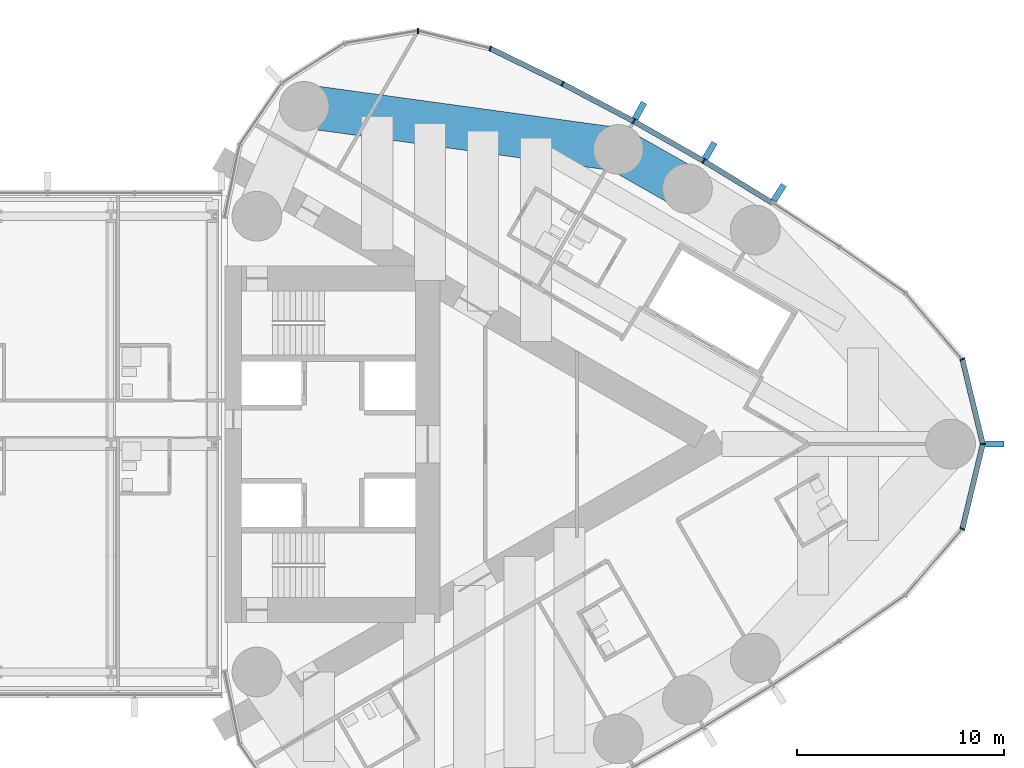
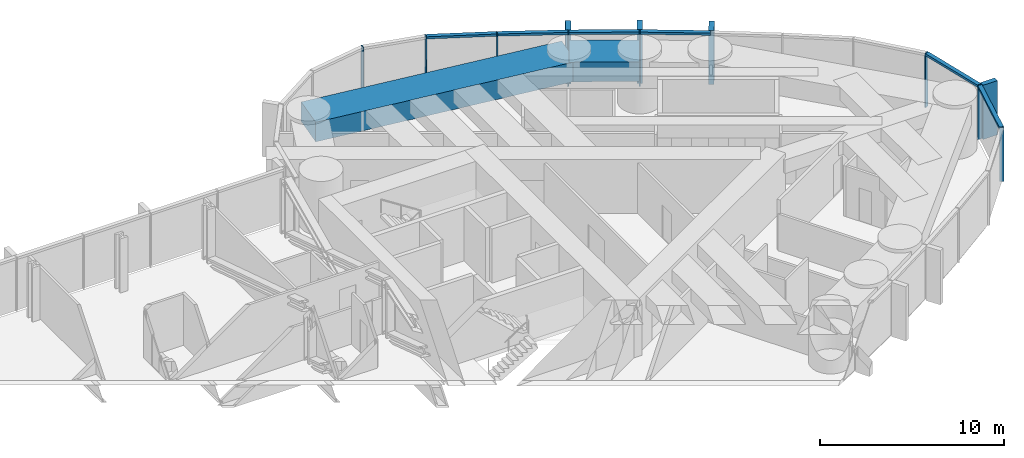
# One storey, part 11 of 22: 18 members, 2 beams, 1 element without a shape of its own.
"""IFC4 building model written with IfcOpenShell, lengths in metres."""

from ifc_helpers import new_model, si_unit, direction, frame, origin, origin_2d, place, context, subcontext, project, spatial, rectangle, extrude, material, material_profile, profile_set, type_object, element, aggregate, save


model = new_model("IFC4")

# Units and contexts
model_context = context("Model", 3, precision=1e-05, world=origin(), true_north=direction((0.0, 1.0)))
body_context = subcontext(model_context, "Body", "Model", "MODEL_VIEW")
ifc_project = project(units=[si_unit("LENGTHUNIT", "METRE"), si_unit("AREAUNIT", "SQUARE_METRE"), si_unit("VOLUMEUNIT", "CUBIC_METRE"), si_unit("PLANEANGLEUNIT", "RADIAN"), si_unit("MASSUNIT", "GRAM", prefix="KILO")], contexts=[model_context])

# Site, building, storey
site_placement = place(None, origin())
site = spatial("IfcSite", under=ifc_project, at=site_placement, CompositionType="ELEMENT")
building_placement = place(site_placement, origin())
building = spatial("IfcBuilding", under=site, at=building_placement, Name="Lancet Gate Hotel", CompositionType="ELEMENT")
storey_placement = place(building_placement, frame((0.0, 0.0, 233.300048828125)))
storey = spatial("IfcBuildingStorey", under=building, at=storey_placement, Name="L62", CompositionType="ELEMENT", Elevation=233.300048828125)

# Curtain wall, members
ifc_material_1 = material(Name="Aluminium curtain wall", Category="aluminium")
curtain_wall_type = type_object("IfcCurtainWallType", Name="Tower unitised curtain wall", PredefinedType="USERDEFINED", material=ifc_material_1)
curtain_wall_placement = place(storey_placement, origin())
curtain_wall = element("IfcCurtainWall", 1, at=curtain_wall_placement, inside=storey, type_object=curtain_wall_type, Name="T2 L62 curtain wall 1", ObjectType="UNITISED CURTAIN WALL", PredefinedType="USERDEFINED")
ifc_material_2 = material(Name="Aluminium mullion", Category="aluminium")
ifc_material_profile_1 = material_profile(ifc_material_2, rectangle(XDim=0.06494140625, YDim=0.25, at=origin_2d()), Name="MULLION 65x250")
ifc_profile_set_1 = profile_set([ifc_material_profile_1], Name="Aluminium mullion")
member_type_1 = type_object("IfcMemberType", Name="Aluminium mullion 65x250", PredefinedType="MULLION", material=ifc_profile_set_1)
member_1_placement = place(storey_placement, frame((63.1064453125, -4.09375, 0.0), z_axis=(0.0, 0.0, 1.0), x_axis=(0.454852851296, 0.890566608215, 0.0)))
member_1 = element("IfcMember", 2, at=member_1_placement, type_object=member_type_1, Name="T2 L62 curtain wall 1 mullion 13", PredefinedType="MULLION", context=body_context, shape_type="SweptSolid", body=[
    extrude(rectangle(XDim=0.06494140625, YDim=0.25, at=origin_2d()), origin(), (0.0, 0.0, 1.0), 3.599853515625),
])
member_2_placement = place(storey_placement, frame((64.09130859375, 0.0, 0.0), z_axis=(0.0, 0.0, 1.0), x_axis=(0.0, 1.0, 0.0)))
member_2 = element("IfcMember", 3, at=member_2_placement, type_object=member_type_1, Name="T2 L62 curtain wall 1 mullion 14", PredefinedType="MULLION", context=body_context, shape_type="SweptSolid", body=[
    extrude(rectangle(XDim=0.06494140625, YDim=0.25, at=origin_2d()), origin(), (0.0, 0.0, 1.0), 3.599853515625),
])
member_3_placement = place(storey_placement, frame((63.1064453125, 4.09375, 0.0), z_axis=(0.0, 0.0, 1.0), x_axis=(-0.454852851296, 0.890566608215, 0.0)))
member_3 = element("IfcMember", 4, at=member_3_placement, type_object=member_type_1, Name="T2 L62 curtain wall 1 mullion 15", PredefinedType="MULLION", context=body_context, shape_type="SweptSolid", body=[
    extrude(rectangle(XDim=0.06494140625, YDim=0.25, at=origin_2d()), origin(), (0.0, 0.0, 1.0), 3.599853515625),
])
member_4_placement = place(storey_placement, frame((50.62060546875, 13.667236328125, 0.0), z_axis=(0.0, 0.0, 1.0), x_axis=(-0.861691755738, 0.507432082247, 0.0)))
member_4 = element("IfcMember", 5, at=member_4_placement, type_object=member_type_1, Name="T2 L62 curtain wall 1 mullion 19", PredefinedType="MULLION", context=body_context, shape_type="SweptSolid", body=[
    extrude(rectangle(XDim=0.06494140625, YDim=0.25, at=origin_2d()), origin(), (0.0, 0.0, 1.0), 3.599853515625),
])
member_5_placement = place(storey_placement, frame((47.24365234375, 15.585205078125, 0.0), z_axis=(0.0, 0.0, 1.0), x_axis=(-0.877194589488, 0.480135035352, 0.0)))
member_5 = element("IfcMember", 6, at=member_5_placement, type_object=member_type_1, Name="T2 L62 curtain wall 1 mullion 20", PredefinedType="MULLION", context=body_context, shape_type="SweptSolid", body=[
    extrude(rectangle(XDim=0.06494140625, YDim=0.25, at=origin_2d()), origin(), (0.0, 0.0, 1.0), 3.599853515625),
])
member_6_placement = place(storey_placement, frame((43.80810546875, 17.396240234375, 0.0), z_axis=(0.0, 0.0, 1.0), x_axis=(-0.891832977257, 0.452364831389, 0.0)))
member_6 = element("IfcMember", 7, at=member_6_placement, type_object=member_type_1, Name="T2 L62 curtain wall 1 mullion 21", PredefinedType="MULLION", context=body_context, shape_type="SweptSolid", body=[
    extrude(rectangle(XDim=0.06494140625, YDim=0.25, at=origin_2d()), origin(), (0.0, 0.0, 1.0), 3.599853515625),
])
member_7_placement = place(storey_placement, frame((40.3173828125, 19.098388671875, 0.0), z_axis=(0.0, 0.0, 1.0), x_axis=(-0.939483740419, 0.342593493061, 0.0)))
member_7 = element("IfcMember", 8, at=member_7_placement, type_object=member_type_1, Name="T2 L62 curtain wall 1 mullion 22", PredefinedType="MULLION", context=body_context, shape_type="SweptSolid", body=[
    extrude(rectangle(XDim=0.06494140625, YDim=0.25, at=origin_2d()), origin(), (0.0, 0.0, 1.0), 3.599853515625),
])
member_8_placement = place(storey_placement, frame((36.826171875, 19.942138671875, 0.0), z_axis=(0.0, 0.0, 1.0), x_axis=(-0.999342744911, 0.03625021647, 0.0)))
member_8 = element("IfcMember", 9, at=member_8_placement, type_object=member_type_1, Name="T2 L62 curtain wall 1 mullion 23", PredefinedType="MULLION", context=body_context, shape_type="SweptSolid", body=[
    extrude(rectangle(XDim=0.06494140625, YDim=0.25, at=origin_2d()), origin(), (0.0, 0.0, 1.0), 3.599853515625),
])
ifc_material_3 = material(Name="Aluminium transom", Category="aluminium")
ifc_material_profile_2 = material_profile(ifc_material_3, rectangle(XDim=0.25, YDim=0.14990234375, at=origin_2d()), Name="TRANSOM 250x150")
ifc_profile_set_2 = profile_set([ifc_material_profile_2], Name="Aluminium transom")
member_type_2 = type_object("IfcMemberType", Name="Aluminium transom 250x150", PredefinedType="USERDEFINED", material=ifc_profile_set_2)
member_9_placement = place(storey_placement, frame((63.114013671875, -4.06201171875, 3.52490234375), z_axis=(0.233920855872, 0.972255641891, 0.0), x_axis=(-0.972255641891, 0.233920855872, 0.0)))
member_9 = element("IfcMember", 10, at=member_9_placement, type_object=member_type_2, Name="T2 L62 curtain wall 1 transom 13", ObjectType="TRANSOM", PredefinedType="USERDEFINED", context=body_context, shape_type="SweptSolid", body=[
    extrude(rectangle(XDim=0.25, YDim=0.14990234375, at=origin_2d()), origin(), (0.0, 0.0, 1.0), 4.1455078125),
])
member_10_placement = place(storey_placement, frame((64.083740234375, 0.031494140625, 3.52490234375), z_axis=(-0.233920855872, 0.972255641891, 0.0), x_axis=(-0.972255641891, -0.233920855872, 0.0)))
member_10 = element("IfcMember", 11, at=member_10_placement, type_object=member_type_2, Name="T2 L62 curtain wall 1 transom 14", ObjectType="TRANSOM", PredefinedType="USERDEFINED", context=body_context, shape_type="SweptSolid", body=[
    extrude(rectangle(XDim=0.25, YDim=0.14990234375, at=origin_2d()), origin(), (0.0, 0.0, 1.0), 4.1455078125),
])
member_11_placement = place(storey_placement, frame((53.907958984375, 11.661376953125, 3.52490234375), z_axis=(-0.853638798527, 0.520865435261, 0.0), x_axis=(-0.520865435261, -0.853638798527, 0.0)))
member_11 = element("IfcMember", 12, at=member_11_placement, type_object=member_type_2, Name="T2 L62 curtain wall 1 transom 18", ObjectType="TRANSOM", PredefinedType="USERDEFINED", context=body_context, shape_type="SweptSolid", body=[
    extrude(rectangle(XDim=0.25, YDim=0.14990234375, at=origin_2d()), origin(), (0.0, 0.0, 1.0), 3.818603515625),
])
member_12_placement = place(storey_placement, frame((50.59228515625, 13.683349609375, 3.52490234375), z_axis=(-0.869562011924, 0.493823761496, 0.0), x_axis=(-0.493823761496, -0.869562011924, 0.0)))
member_12 = element("IfcMember", 13, at=member_12_placement, type_object=member_type_2, Name="T2 L62 curtain wall 1 transom 19", ObjectType="TRANSOM", PredefinedType="USERDEFINED", context=body_context, shape_type="SweptSolid", body=[
    extrude(rectangle(XDim=0.25, YDim=0.14990234375, at=origin_2d()), origin(), (0.0, 0.0, 1.0), 3.818603515625),
])
member_13_placement = place(storey_placement, frame((47.21484375, 15.600341796875, 3.52490234375), z_axis=(-0.884618491031, 0.466315478325, 0.0), x_axis=(-0.466315478325, -0.884618491031, 0.0)))
member_13 = element("IfcMember", 14, at=member_13_placement, type_object=member_type_2, Name="T2 L62 curtain wall 1 transom 20", ObjectType="TRANSOM", PredefinedType="USERDEFINED", context=body_context, shape_type="SweptSolid", body=[
    extrude(rectangle(XDim=0.25, YDim=0.14990234375, at=origin_2d()), origin(), (0.0, 0.0, 1.0), 3.81884765625),
])
member_14_placement = place(storey_placement, frame((43.77880859375, 17.410400390625, 3.52490234375), z_axis=(-0.898820051991, 0.438317823206, 0.0), x_axis=(-0.438317823206, -0.898820051991, 0.0)))
member_14 = element("IfcMember", 15, at=member_14_placement, type_object=member_type_2, Name="T2 L62 curtain wall 1 transom 21", ObjectType="TRANSOM", PredefinedType="USERDEFINED", context=body_context, shape_type="SweptSolid", body=[
    extrude(rectangle(XDim=0.25, YDim=0.14990234375, at=origin_2d()), origin(), (0.0, 0.0, 1.0), 3.81884765625),
])

# Beams
ifc_material_4 = material(Name="Concrete C50/60", Category="concrete")
ifc_material_profile_3 = material_profile(ifc_material_4, rectangle(XDim=2.10009765625, YDim=1.300048828125, at=origin_2d()), Name="RC 2100x1300")
ifc_profile_set_3 = profile_set([ifc_material_profile_3], Name="Concrete C50/60")
beam_type = type_object("IfcBeamType", Name="Edge beam RC 2100x1300", PredefinedType="SPANDREL", material=ifc_profile_set_3)
beam_1_placement = place(storey_placement, frame((49.833984375, 12.331787109375, 2.699951171875), z_axis=(-0.869560321562, 0.493826738001, 0.0), x_axis=(-0.493826738001, -0.869560321562, 0.0)))
element("IfcBeam", 16, at=beam_1_placement, inside=storey, type_object=beam_type, Name="T2 edge beam EB1 L62", PredefinedType="SPANDREL", context=body_context, shape_type="SweptSolid", body=[
    extrude(rectangle(XDim=2.10009765625, YDim=1.300048828125, at=origin_2d()), origin(), (0.0, 0.0, 1.0), 3.8349609375),
])
beam_2_placement = place(storey_placement, frame((46.499267578125, 14.2255859375, 2.699951171875), z_axis=(-0.990685830783, 0.13616748762, 0.0), x_axis=(-0.13616748762, -0.990685830783, 0.0)))
element("IfcBeam", 17, at=beam_2_placement, inside=storey, type_object=beam_type, Name="T2 edge beam EB1 L62", PredefinedType="SPANDREL", context=body_context, shape_type="SweptSolid", body=[
    extrude(rectangle(XDim=2.10009765625, YDim=1.300048828125, at=origin_2d()), origin(), (0.0, 0.0, 1.0), 15.3134765625),
])

# Member
ifc_material_5 = material(Name="Precast concrete C50/60", Category="concrete")
ifc_material_profile_4 = material_profile(ifc_material_5, rectangle(XDim=0.300048828125, YDim=0.89990234375, at=origin_2d()), Name="FIN 300x900")
ifc_profile_set_4 = profile_set([ifc_material_profile_4], Name="Precast concrete C50/60")
member_type_3 = type_object("IfcMemberType", Name="Exposed concrete fin 300x900", PredefinedType="USERDEFINED", material=ifc_profile_set_4)
member_15_placement = place(storey_placement, frame((64.66650390625, 0.0, 0.0), z_axis=(0.0, 0.0, 1.0), x_axis=(0.0, 1.0, 0.0)))
member_15 = element("IfcMember", 18, at=member_15_placement, type_object=member_type_3, Name="T2 L62 curtain wall 1 fin 14", ObjectType="FIN", PredefinedType="USERDEFINED", context=body_context, shape_type="SweptSolid", body=[
    extrude(rectangle(XDim=0.300048828125, YDim=0.89990234375, at=origin_2d()), origin(), (0.0, 0.0, 1.0), 3.599853515625),
])

member_16_placement = place(storey_placement, frame((54.242919921875, 12.13037109375, 0.0), z_axis=(0.0, 0.0, 1.0), x_axis=(-0.845339753513, 0.534229071777, 0.0)))
member_16 = element("IfcMember", 19, at=member_16_placement, type_object=member_type_3, Name="T2 L62 curtain wall 1 fin 18", ObjectType="FIN", PredefinedType="USERDEFINED", context=body_context, shape_type="SweptSolid", body=[
    extrude(rectangle(XDim=0.300048828125, YDim=0.89990234375, at=origin_2d()), origin(), (0.0, 0.0, 1.0), 3.599853515625),
])

member_17_placement = place(storey_placement, frame((50.912353515625, 14.162841796875, 0.0), z_axis=(0.0, 0.0, 1.0), x_axis=(-0.861691755738, 0.507432082247, 0.0)))
member_17 = element("IfcMember", 20, at=member_17_placement, type_object=member_type_3, Name="T2 L62 curtain wall 1 fin 19", ObjectType="FIN", PredefinedType="USERDEFINED", context=body_context, shape_type="SweptSolid", body=[
    extrude(rectangle(XDim=0.300048828125, YDim=0.89990234375, at=origin_2d()), origin(), (0.0, 0.0, 1.0), 3.599853515625),
])

member_18_placement = place(storey_placement, frame((47.51953125, 16.089599609375, 0.0), z_axis=(0.0, 0.0, 1.0), x_axis=(-0.877194589488, 0.480135035352, 0.0)))
member_18 = element("IfcMember", 21, at=member_18_placement, type_object=member_type_3, Name="T2 L62 curtain wall 1 fin 20", ObjectType="FIN", PredefinedType="USERDEFINED", context=body_context, shape_type="SweptSolid", body=[
    extrude(rectangle(XDim=0.300048828125, YDim=0.89990234375, at=origin_2d()), origin(), (0.0, 0.0, 1.0), 3.599853515625),
])

aggregate(curtain_wall, [member_1, member_2, member_15, member_3, member_16, member_4, member_17, member_5, member_18, member_6, member_7, member_8, member_9, member_10, member_11, member_12, member_13, member_14])

save(model, "model.ifc")
